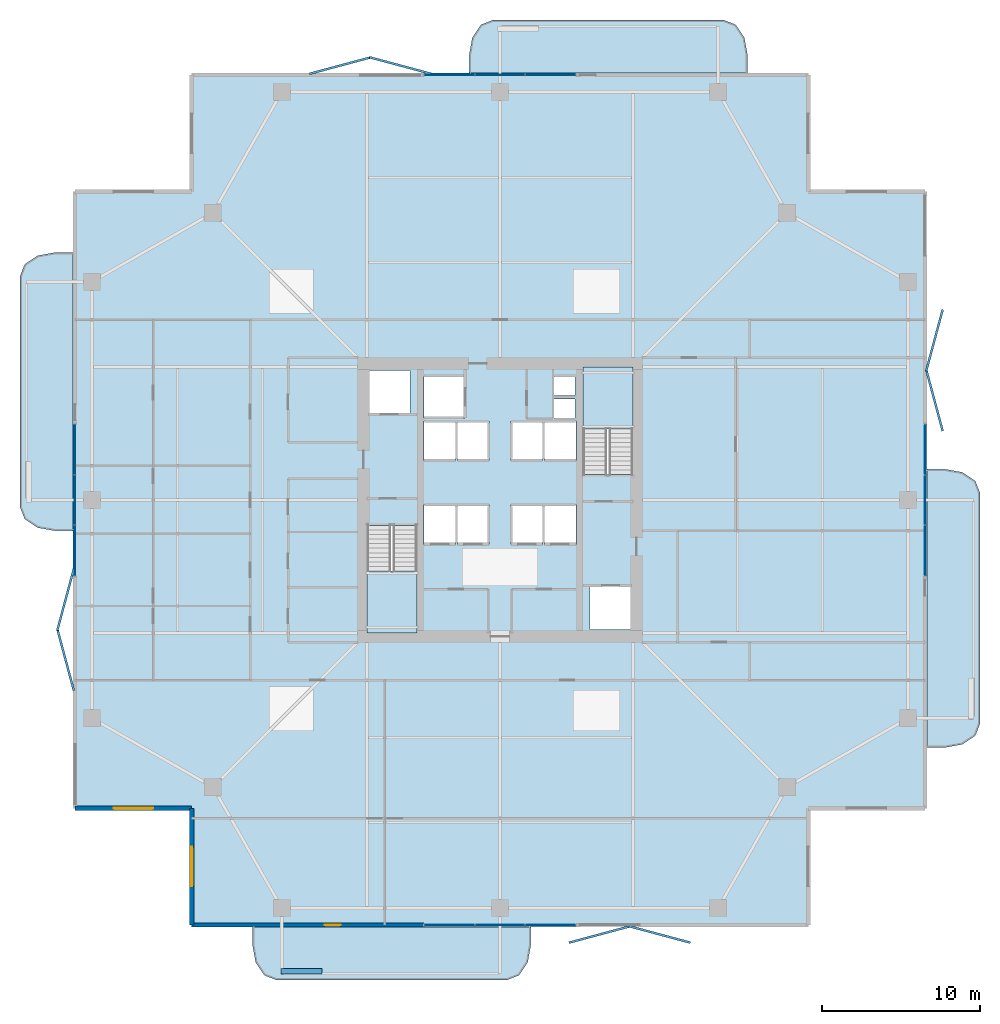
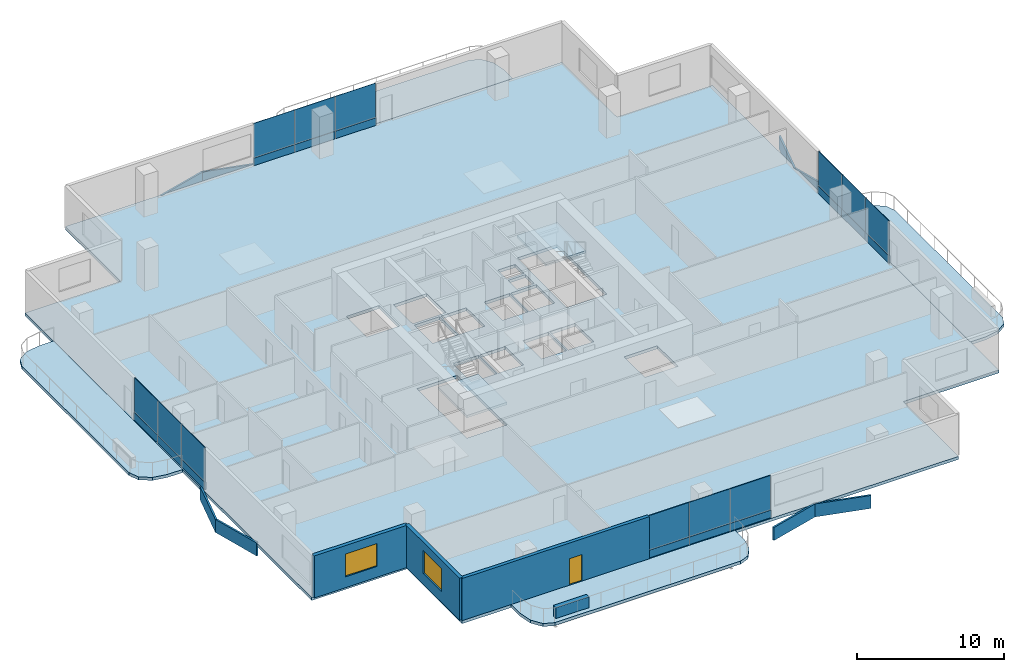
# One storey, part 16 of 23: 32 plates, 7 slabs, 4 walls, 2 windows, 1 door, 3 openings, 6 elements without a shape of their own.
"""IFC4 building model written with IfcOpenShell, lengths in metres."""

from ifc_helpers import new_model, si_unit, direction, frame, frame_2d, origin, origin_2d, place, context, subcontext, project, spatial, polyline, rectangle, outline, extrude, material, layer, layer_set, type_object, element, fill, aggregate, save


model = new_model("IFC4")

# Units and contexts
model_context = context("Model", 3, precision=1e-05, world=origin(), true_north=direction((0.0, 1.0)))
body_context = subcontext(model_context, "Body", "Model", "MODEL_VIEW")
ifc_project = project(units=[si_unit("LENGTHUNIT", "METRE"), si_unit("AREAUNIT", "SQUARE_METRE"), si_unit("VOLUMEUNIT", "CUBIC_METRE"), si_unit("PLANEANGLEUNIT", "RADIAN"), si_unit("MASSUNIT", "GRAM", prefix="KILO")], contexts=[model_context])

# Site, building, storey
site_placement = place(None, origin())
site = spatial("IfcSite", under=ifc_project, at=site_placement, CompositionType="ELEMENT")
building_placement = place(site_placement, origin())
building = spatial("IfcBuilding", under=site, at=building_placement, Name="Belovzor Exchange Tower", CompositionType="ELEMENT")
storey_placement = place(building_placement, frame((0.0, 0.0, 229.949951171875)))
storey = spatial("IfcBuildingStorey", under=building, at=storey_placement, Name="L57", CompositionType="ELEMENT", Elevation=229.949951171875)

# Slab
ifc_material_1 = material(Name="Concrete C40/50", Category="concrete")
ifc_layer_1 = layer(ifc_material_1, 0.25)
ifc_layer_set_1 = layer_set([ifc_layer_1], Name="Concrete C40/50")
slab_type_1 = type_object("IfcSlabType", Name="Composite Concrete Floor Deck Slab 250", PredefinedType="FLOOR", material=ifc_layer_set_1)
slab_1_placement = place(storey_placement, frame((0.0, 0.0, -0.25)))
element("IfcSlab", 1, at=slab_1_placement, inside=storey, type_object=slab_type_1, Name="SL-F250 Structural Slab L57", PredefinedType="FLOOR", context=body_context, shape_type="SweptSolid", body=[
    extrude(outline(polyline([(9.300048828125, 1.800048828125), (48.300048828125, 1.800048828125), (48.300048828125, 9.300048828125), (55.800048828125, 9.300048828125), (55.800048828125, 48.300048828125), (48.300048828125, 48.300048828125), (48.300048828125, 55.800048828125), (9.300048828125, 55.800048828125), (9.300048828125, 48.300048828125), (1.800048828125, 48.300048828125), (1.800048828125, 9.300048828125), (9.300048828125, 9.300048828125), (9.300048828125, 1.800048828125)]), holes=[polyline([(20.39990234375, 27.175048828125), (20.39990234375, 20.39990234375), (23.550048828125, 20.39990234375), (23.550048828125, 27.175048828125), (20.39990234375, 27.175048828125)]), polyline([(37.199951171875, 30.425048828125), (37.199951171875, 37.199951171875), (34.050048828125, 37.199951171875), (34.050048828125, 30.425048828125), (37.199951171875, 30.425048828125)]), polyline([(20.5, 34.199951171875), (23.10009765625, 34.199951171875), (23.10009765625, 37.0), (20.5, 37.0), (20.5, 34.199951171875)]), polyline([(34.5, 20.60009765625), (37.10009765625, 20.60009765625), (37.10009765625, 23.39990234375), (34.5, 23.39990234375), (34.5, 20.60009765625)]), polyline([(24.0, 34.0), (26.60009765625, 34.0), (26.60009765625, 36.60009765625), (24.0, 36.60009765625), (24.0, 34.0)]), polyline([(24.0, 26.0), (26.0, 26.0), (26.0, 28.5), (24.0, 28.5), (24.0, 26.0)]), polyline([(26.10009765625, 26.0), (28.10009765625, 26.0), (28.10009765625, 28.5), (26.10009765625, 28.5), (26.10009765625, 26.0)]), polyline([(29.5, 26.0), (31.5, 26.0), (31.5, 28.5), (29.5, 28.5), (29.5, 26.0)]), polyline([(31.60009765625, 26.0), (33.60009765625, 26.0), (33.60009765625, 28.5), (31.60009765625, 28.5), (31.60009765625, 26.0)]), polyline([(24.0, 31.300048828125), (26.0, 31.300048828125), (26.0, 33.800048828125), (24.0, 33.800048828125), (24.0, 31.300048828125)]), polyline([(26.10009765625, 31.300048828125), (28.10009765625, 31.300048828125), (28.10009765625, 33.800048828125), (26.10009765625, 33.800048828125), (26.10009765625, 31.300048828125)]), polyline([(29.5, 31.300048828125), (31.5, 31.300048828125), (31.5, 33.800048828125), (29.5, 33.800048828125), (29.5, 31.300048828125)]), polyline([(31.60009765625, 31.300048828125), (33.60009765625, 31.300048828125), (33.60009765625, 33.800048828125), (31.60009765625, 33.800048828125), (31.60009765625, 31.300048828125)]), polyline([(32.199951171875, 34.0), (33.550048828125, 34.0), (33.550048828125, 35.199951171875), (32.199951171875, 35.199951171875), (32.199951171875, 34.0)]), polyline([(32.199951171875, 35.39990234375), (33.550048828125, 35.39990234375), (33.550048828125, 36.60009765625), (32.199951171875, 36.60009765625), (32.199951171875, 35.39990234375)])]), origin(), (0.0, 0.0, 1.0), 0.25),
])

# Curtain wall, plates
ifc_material_2 = material(Name="Anodised Aluminium Framing", Category="aluminium")
ifc_layer_2 = layer(ifc_material_2, 0.179931640625)
ifc_layer_set_2 = layer_set([ifc_layer_2], Name="Anodised Aluminium Framing")
curtain_wall_type = type_object("IfcCurtainWallType", Name="Recessed Loggia Low-Iron Triple-Glazed Curtain Wall", PredefinedType="NOTDEFINED", material=ifc_layer_set_2)
curtain_wall_1_placement = place(storey_placement, origin())
curtain_wall_1 = element("IfcCurtainWall", 2, at=curtain_wall_1_placement, inside=storey, type_object=curtain_wall_type, Name="CW3 Recessed Loggia Low-Iron Triple-Glazed Curtain Wall L57", PredefinedType="NOTDEFINED")
ifc_material_3 = material(Name="Solar-Control Triple Glazing", Category="glass")
ifc_layer_3 = layer(ifc_material_3, 0.0439453125)
ifc_layer_set_3 = layer_set([ifc_layer_3], Name="Solar-Control Triple Glazing")
plate_type_1 = type_object("IfcPlateType", Name="Insulated Solar Glazing Curtain Panel 44", PredefinedType="CURTAIN_PANEL", material=ifc_layer_set_3)
plate_1_placement = place(storey_placement, frame((32.0, 1.929931640625, 0.63232421875), z_axis=(0.0, 0.0, 1.0), x_axis=(-1.0, 0.0, 0.0)))
plate_1 = element("IfcPlate", 3, at=plate_1_placement, type_object=plate_type_1, Name="GLZ-44 Glazed Curtain Panel 1", PredefinedType="CURTAIN_PANEL", context=body_context, shape_type="SweptSolid", body=[
    extrude(rectangle(XDim=3.18408203125, YDim=0.0439453125, at=origin_2d()), origin(), (0.0, 0.0, 1.0), 2.867919921875),
])
plate_2_placement = place(storey_placement, frame((28.800048828125, 1.929931640625, 0.63232421875), z_axis=(0.0, 0.0, 1.0), x_axis=(-1.0, 0.0, 0.0)))
plate_2 = element("IfcPlate", 4, at=plate_2_placement, type_object=plate_type_1, Name="GLZ-44 Glazed Curtain Panel 2", PredefinedType="CURTAIN_PANEL", context=body_context, shape_type="SweptSolid", body=[
    extrude(rectangle(XDim=3.18408203125, YDim=0.0439453125, at=origin_2d()), origin(), (0.0, 0.0, 1.0), 2.867919921875),
])
plate_3_placement = place(storey_placement, frame((25.60009765625, 1.929931640625, 0.63232421875), z_axis=(0.0, 0.0, 1.0), x_axis=(-1.0, 0.0, 0.0)))
plate_3 = element("IfcPlate", 5, at=plate_3_placement, type_object=plate_type_1, Name="GLZ-44 Glazed Curtain Panel 3", PredefinedType="CURTAIN_PANEL", context=body_context, shape_type="SweptSolid", body=[
    extrude(rectangle(XDim=3.18408203125, YDim=0.0439453125, at=origin_2d()), origin(), (0.0, 0.0, 1.0), 2.867919921875),
])

curtain_wall_2_placement = place(storey_placement, origin())
curtain_wall_2 = element("IfcCurtainWall", 6, at=curtain_wall_2_placement, inside=storey, type_object=curtain_wall_type, Name="CW3 Recessed Loggia Low-Iron Triple-Glazed Curtain Wall L57", PredefinedType="NOTDEFINED")
plate_4_placement = place(storey_placement, frame((25.60009765625, 55.669921875, 0.63232421875), z_axis=(0.0, 0.0, 1.0), x_axis=(1.0, 0.0, 0.0)))
plate_4 = element("IfcPlate", 7, at=plate_4_placement, type_object=plate_type_1, Name="GLZ-44 Glazed Curtain Panel 1", PredefinedType="CURTAIN_PANEL", context=body_context, shape_type="SweptSolid", body=[
    extrude(rectangle(XDim=3.18408203125, YDim=0.0439453125, at=origin_2d()), origin(), (0.0, 0.0, 1.0), 2.867919921875),
])
plate_5_placement = place(storey_placement, frame((28.800048828125, 55.669921875, 0.63232421875), z_axis=(0.0, 0.0, 1.0), x_axis=(1.0, 0.0, 0.0)))
plate_5 = element("IfcPlate", 8, at=plate_5_placement, type_object=plate_type_1, Name="GLZ-44 Glazed Curtain Panel 2", PredefinedType="CURTAIN_PANEL", context=body_context, shape_type="SweptSolid", body=[
    extrude(rectangle(XDim=3.18408203125, YDim=0.0439453125, at=origin_2d()), origin(), (0.0, 0.0, 1.0), 2.867919921875),
])
plate_6_placement = place(storey_placement, frame((32.0, 55.669921875, 0.63232421875), z_axis=(0.0, 0.0, 1.0), x_axis=(1.0, 0.0, 0.0)))
plate_6 = element("IfcPlate", 9, at=plate_6_placement, type_object=plate_type_1, Name="GLZ-44 Glazed Curtain Panel 3", PredefinedType="CURTAIN_PANEL", context=body_context, shape_type="SweptSolid", body=[
    extrude(rectangle(XDim=3.18408203125, YDim=0.0439453125, at=origin_2d()), origin(), (0.0, 0.0, 1.0), 2.867919921875),
])

curtain_wall_3_placement = place(storey_placement, origin())
curtain_wall_3 = element("IfcCurtainWall", 10, at=curtain_wall_3_placement, inside=storey, type_object=curtain_wall_type, Name="CW3 Recessed Loggia Low-Iron Triple-Glazed Curtain Wall L57", PredefinedType="NOTDEFINED")
plate_7_placement = place(storey_placement, frame((1.929931640625, 25.60009765625, 0.63232421875), z_axis=(0.0, 0.0, 1.0), x_axis=(0.0, 1.0, 0.0)))
plate_7 = element("IfcPlate", 11, at=plate_7_placement, type_object=plate_type_1, Name="GLZ-44 Glazed Curtain Panel 1", PredefinedType="CURTAIN_PANEL", context=body_context, shape_type="SweptSolid", body=[
    extrude(rectangle(XDim=3.18408203125, YDim=0.0439453125, at=origin_2d()), origin(), (0.0, 0.0, 1.0), 2.867919921875),
])
plate_8_placement = place(storey_placement, frame((1.929931640625, 28.800048828125, 0.63232421875), z_axis=(0.0, 0.0, 1.0), x_axis=(0.0, 1.0, 0.0)))
plate_8 = element("IfcPlate", 12, at=plate_8_placement, type_object=plate_type_1, Name="GLZ-44 Glazed Curtain Panel 2", PredefinedType="CURTAIN_PANEL", context=body_context, shape_type="SweptSolid", body=[
    extrude(rectangle(XDim=3.18408203125, YDim=0.0439453125, at=origin_2d()), origin(), (0.0, 0.0, 1.0), 2.867919921875),
])
plate_9_placement = place(storey_placement, frame((1.929931640625, 32.0, 0.63232421875), z_axis=(0.0, 0.0, 1.0), x_axis=(0.0, 1.0, 0.0)))
plate_9 = element("IfcPlate", 13, at=plate_9_placement, type_object=plate_type_1, Name="GLZ-44 Glazed Curtain Panel 3", PredefinedType="CURTAIN_PANEL", context=body_context, shape_type="SweptSolid", body=[
    extrude(rectangle(XDim=3.18408203125, YDim=0.0439453125, at=origin_2d()), origin(), (0.0, 0.0, 1.0), 2.867919921875),
])

curtain_wall_4_placement = place(storey_placement, origin())
curtain_wall_4 = element("IfcCurtainWall", 14, at=curtain_wall_4_placement, inside=storey, type_object=curtain_wall_type, Name="CW3 Recessed Loggia Low-Iron Triple-Glazed Curtain Wall L57", PredefinedType="NOTDEFINED")
plate_10_placement = place(storey_placement, frame((55.669921875, 32.0, 0.63232421875), z_axis=(0.0, 0.0, 1.0), x_axis=(0.0, -1.0, 0.0)))
plate_10 = element("IfcPlate", 15, at=plate_10_placement, type_object=plate_type_1, Name="GLZ-44 Glazed Curtain Panel 1", PredefinedType="CURTAIN_PANEL", context=body_context, shape_type="SweptSolid", body=[
    extrude(rectangle(XDim=3.18408203125, YDim=0.0439453125, at=origin_2d()), origin(), (0.0, 0.0, 1.0), 2.867919921875),
])
plate_11_placement = place(storey_placement, frame((55.669921875, 28.800048828125, 0.63232421875), z_axis=(0.0, 0.0, 1.0), x_axis=(0.0, -1.0, 0.0)))
plate_11 = element("IfcPlate", 16, at=plate_11_placement, type_object=plate_type_1, Name="GLZ-44 Glazed Curtain Panel 2", PredefinedType="CURTAIN_PANEL", context=body_context, shape_type="SweptSolid", body=[
    extrude(rectangle(XDim=3.18408203125, YDim=0.0439453125, at=origin_2d()), origin(), (0.0, 0.0, 1.0), 2.867919921875),
])
plate_12_placement = place(storey_placement, frame((55.669921875, 25.60009765625, 0.63232421875), z_axis=(0.0, 0.0, 1.0), x_axis=(0.0, -1.0, 0.0)))
plate_12 = element("IfcPlate", 17, at=plate_12_placement, type_object=plate_type_1, Name="GLZ-44 Glazed Curtain Panel 3", PredefinedType="CURTAIN_PANEL", context=body_context, shape_type="SweptSolid", body=[
    extrude(rectangle(XDim=3.18408203125, YDim=0.0439453125, at=origin_2d()), origin(), (0.0, 0.0, 1.0), 2.867919921875),
])

# Plates
ifc_material_4 = material(Name="Extruded Architectural Terracotta", Category="masonry")
ifc_layer_4 = layer(ifc_material_4, 0.139892578125)
ifc_layer_set_4 = layer_set([ifc_layer_4], Name="Extruded Architectural Terracotta")
plate_type_2 = type_object("IfcPlateType", Name="Mid-Tower Folded Zigzag Terracotta Spandrel Louvre 120", PredefinedType="USERDEFINED", material=ifc_layer_set_4)
for number, where, z_axis, x_axis, name in (
    (18, (18.699951171875, 56.27001953125, -1.06494140625), (0.0, 0.0, 1.0), (0.965812803231, 0.259240485101, 0.0), "LVR-ZZ2 Zigzag Terracotta Spandrel Louvre L57 N1A"),
    (19, (22.5, 56.27001953125, -1.06494140625), (0.0, 0.0, 1.0), (0.965812803231, -0.259240485101, 0.0), "LVR-ZZ2 Zigzag Terracotta Spandrel Louvre L57 N1B"),
    (20, (1.330078125, 18.699951171875, -1.06494140625), (0.0, 0.0, 1.0), (-0.259240485101, 0.965812803231, 0.0), "LVR-ZZ2 Zigzag Terracotta Spandrel Louvre L57 W1A"),
    (21, (1.330078125, 22.5, -1.06494140625), (0.0, 0.0, 1.0), (0.259240485101, 0.965812803231, 0.0), "LVR-ZZ2 Zigzag Terracotta Spandrel Louvre L57 W1B"),
    (22, (35.10009765625, 1.330078125, -1.06494140625), (0.0, 0.0, 1.0), (0.965812803231, 0.259240485101, 0.0), "LVR-ZZ2 Zigzag Terracotta Spandrel Louvre L57 S2A"),
    (23, (38.89990234375, 1.330078125, -1.06494140625), (0.0, 0.0, 1.0), (0.965812803231, -0.259240485101, 0.0), "LVR-ZZ2 Zigzag Terracotta Spandrel Louvre L57 S2B"),
    (24, (56.27001953125, 35.10009765625, -1.06494140625), (0.0, 0.0, 1.0), (-0.259240485101, 0.965812803231, 0.0), "LVR-ZZ2 Zigzag Terracotta Spandrel Louvre L57 E2A"),
    (25, (56.27001953125, 38.89990234375, -1.06494140625), (0.0, 0.0, 1.0), (0.259240485101, 0.965812803231, 0.0), "LVR-ZZ2 Zigzag Terracotta Spandrel Louvre L57 E2B"),
):
    element("IfcPlate", number, at=place(storey_placement, frame(where, z_axis=z_axis, x_axis=x_axis)), inside=storey, type_object=plate_type_2, Name=name, ObjectType="SPANDREL_LOUVRE", PredefinedType="USERDEFINED", context=body_context, shape_type="SweptSolid", body=[
        extrude(rectangle(XDim=4.014892578125, YDim=0.139892578125, at=origin_2d()), origin(), (0.0, 0.0, 1.0), 1.080078125),
    ])

# Stair, slab
ifc_material_5 = material(Name="Concrete C40/50", Category="concrete")
stair_type = type_object("IfcStairType", Name="Reinforced Concrete Dogleg Escape Stair 1350", PredefinedType="HALF_TURN_STAIR", material=ifc_material_5)
stair_1_placement = place(storey_placement, origin())
stair_1 = element("IfcStair", 26, at=stair_1_placement, inside=storey, type_object=stair_type, Name="L57 ST-1", PredefinedType="HALF_TURN_STAIR")
ifc_material_6 = material(Name="Concrete C40/50", Category="concrete")
ifc_layer_5 = layer(ifc_material_6, 0.199951171875)
ifc_layer_set_5 = layer_set([ifc_layer_5], Name="Concrete C40/50")
slab_type_2 = type_object("IfcSlabType", Name="Reinforced Concrete Stair Half-Landing Slab 200", PredefinedType="LANDING", material=ifc_layer_set_5)
slab_2_placement = place(storey_placement, frame((0.0, 0.0, 1.675048828125)))
slab_2 = element("IfcSlab", 27, at=slab_2_placement, type_object=slab_type_2, Name="ST-1 landing 1", PredefinedType="LANDING", context=body_context, shape_type="SweptSolid", body=[
    extrude(outline(polyline([(20.39990234375, 24.300048828125), (20.39990234375, 20.39990234375), (23.550048828125, 20.39990234375), (23.550048828125, 24.300048828125), (20.39990234375, 24.300048828125)])), origin(), (0.0, 0.0, 1.0), 0.199951171875),
])
aggregate(stair_1, [slab_2])

stair_2_placement = place(storey_placement, origin())
stair_2 = element("IfcStair", 28, at=stair_2_placement, inside=storey, type_object=stair_type, Name="L57 ST-2", PredefinedType="HALF_TURN_STAIR")
slab_3_placement = place(storey_placement, frame((0.0, 0.0, 1.675048828125)))
slab_3 = element("IfcSlab", 29, at=slab_3_placement, type_object=slab_type_2, Name="ST-2 landing 1", PredefinedType="LANDING", context=body_context, shape_type="SweptSolid", body=[
    extrude(outline(polyline([(37.199951171875, 33.300048828125), (37.199951171875, 37.199951171875), (34.050048828125, 37.199951171875), (34.050048828125, 33.300048828125), (37.199951171875, 33.300048828125)])), origin(), (0.0, 0.0, 1.0), 0.199951171875),
])
aggregate(stair_2, [slab_3])

# Plate
ifc_material_7 = material(Name="Extruded Architectural Terracotta", Category="masonry")
ifc_layer_6 = layer(ifc_material_7, 0.090087890625)
ifc_layer_set_6 = layer_set([ifc_layer_6], Name="Extruded Architectural Terracotta")
plate_type_3 = type_object("IfcPlateType", Name="Terracotta Shadow-Box Spandrel Panel 90", PredefinedType="CURTAIN_PANEL", material=ifc_layer_set_6)
plate_13_placement = place(storey_placement, frame((32.0, 1.929931640625, 0.0), z_axis=(0.0, 0.0, 1.0), x_axis=(-1.0, 0.0, 0.0)))
plate_13 = element("IfcPlate", 30, at=plate_13_placement, type_object=plate_type_3, Name="SPD-90 Spandrel Panel 1", PredefinedType="CURTAIN_PANEL", context=body_context, shape_type="SweptSolid", body=[
    extrude(rectangle(XDim=3.18408203125, YDim=0.090087890625, at=origin_2d()), origin(), (0.0, 0.0, 1.0), 0.6279296875),
])

plate_14_placement = place(storey_placement, frame((28.800048828125, 1.929931640625, 0.0), z_axis=(0.0, 0.0, 1.0), x_axis=(-1.0, 0.0, 0.0)))
plate_14 = element("IfcPlate", 31, at=plate_14_placement, type_object=plate_type_3, Name="SPD-90 Spandrel Panel 2", PredefinedType="CURTAIN_PANEL", context=body_context, shape_type="SweptSolid", body=[
    extrude(rectangle(XDim=3.18408203125, YDim=0.090087890625, at=origin_2d()), origin(), (0.0, 0.0, 1.0), 0.6279296875),
])

plate_15_placement = place(storey_placement, frame((25.60009765625, 1.929931640625, 0.0), z_axis=(0.0, 0.0, 1.0), x_axis=(-1.0, 0.0, 0.0)))
plate_15 = element("IfcPlate", 32, at=plate_15_placement, type_object=plate_type_3, Name="SPD-90 Spandrel Panel 3", PredefinedType="CURTAIN_PANEL", context=body_context, shape_type="SweptSolid", body=[
    extrude(rectangle(XDim=3.18408203125, YDim=0.090087890625, at=origin_2d()), origin(), (0.0, 0.0, 1.0), 0.6279296875),
])

aggregate(curtain_wall_1, [plate_13, plate_1, plate_14, plate_2, plate_15, plate_3])

plate_16_placement = place(storey_placement, frame((25.60009765625, 55.669921875, 0.0), z_axis=(0.0, 0.0, 1.0), x_axis=(1.0, 0.0, 0.0)))
plate_16 = element("IfcPlate", 33, at=plate_16_placement, type_object=plate_type_3, Name="SPD-90 Spandrel Panel 1", PredefinedType="CURTAIN_PANEL", context=body_context, shape_type="SweptSolid", body=[
    extrude(rectangle(XDim=3.18408203125, YDim=0.090087890625, at=origin_2d()), origin(), (0.0, 0.0, 1.0), 0.6279296875),
])

plate_17_placement = place(storey_placement, frame((28.800048828125, 55.669921875, 0.0), z_axis=(0.0, 0.0, 1.0), x_axis=(1.0, 0.0, 0.0)))
plate_17 = element("IfcPlate", 34, at=plate_17_placement, type_object=plate_type_3, Name="SPD-90 Spandrel Panel 2", PredefinedType="CURTAIN_PANEL", context=body_context, shape_type="SweptSolid", body=[
    extrude(rectangle(XDim=3.18408203125, YDim=0.090087890625, at=origin_2d()), origin(), (0.0, 0.0, 1.0), 0.6279296875),
])

plate_18_placement = place(storey_placement, frame((32.0, 55.669921875, 0.0), z_axis=(0.0, 0.0, 1.0), x_axis=(1.0, 0.0, 0.0)))
plate_18 = element("IfcPlate", 35, at=plate_18_placement, type_object=plate_type_3, Name="SPD-90 Spandrel Panel 3", PredefinedType="CURTAIN_PANEL", context=body_context, shape_type="SweptSolid", body=[
    extrude(rectangle(XDim=3.18408203125, YDim=0.090087890625, at=origin_2d()), origin(), (0.0, 0.0, 1.0), 0.6279296875),
])

aggregate(curtain_wall_2, [plate_16, plate_4, plate_17, plate_5, plate_18, plate_6])

plate_19_placement = place(storey_placement, frame((1.929931640625, 25.60009765625, 0.0), z_axis=(0.0, 0.0, 1.0), x_axis=(0.0, 1.0, 0.0)))
plate_19 = element("IfcPlate", 36, at=plate_19_placement, type_object=plate_type_3, Name="SPD-90 Spandrel Panel 1", PredefinedType="CURTAIN_PANEL", context=body_context, shape_type="SweptSolid", body=[
    extrude(rectangle(XDim=3.18408203125, YDim=0.090087890625, at=origin_2d()), origin(), (0.0, 0.0, 1.0), 0.6279296875),
])

plate_20_placement = place(storey_placement, frame((1.929931640625, 28.800048828125, 0.0), z_axis=(0.0, 0.0, 1.0), x_axis=(0.0, 1.0, 0.0)))
plate_20 = element("IfcPlate", 37, at=plate_20_placement, type_object=plate_type_3, Name="SPD-90 Spandrel Panel 2", PredefinedType="CURTAIN_PANEL", context=body_context, shape_type="SweptSolid", body=[
    extrude(rectangle(XDim=3.18408203125, YDim=0.090087890625, at=origin_2d()), origin(), (0.0, 0.0, 1.0), 0.6279296875),
])

plate_21_placement = place(storey_placement, frame((1.929931640625, 32.0, 0.0), z_axis=(0.0, 0.0, 1.0), x_axis=(0.0, 1.0, 0.0)))
plate_21 = element("IfcPlate", 38, at=plate_21_placement, type_object=plate_type_3, Name="SPD-90 Spandrel Panel 3", PredefinedType="CURTAIN_PANEL", context=body_context, shape_type="SweptSolid", body=[
    extrude(rectangle(XDim=3.18408203125, YDim=0.090087890625, at=origin_2d()), origin(), (0.0, 0.0, 1.0), 0.6279296875),
])

aggregate(curtain_wall_3, [plate_19, plate_7, plate_20, plate_8, plate_21, plate_9])

plate_22_placement = place(storey_placement, frame((55.669921875, 32.0, 0.0), z_axis=(0.0, 0.0, 1.0), x_axis=(0.0, -1.0, 0.0)))
plate_22 = element("IfcPlate", 39, at=plate_22_placement, type_object=plate_type_3, Name="SPD-90 Spandrel Panel 1", PredefinedType="CURTAIN_PANEL", context=body_context, shape_type="SweptSolid", body=[
    extrude(rectangle(XDim=3.18408203125, YDim=0.090087890625, at=origin_2d()), origin(), (0.0, 0.0, 1.0), 0.6279296875),
])

plate_23_placement = place(storey_placement, frame((55.669921875, 28.800048828125, 0.0), z_axis=(0.0, 0.0, 1.0), x_axis=(0.0, -1.0, 0.0)))
plate_23 = element("IfcPlate", 40, at=plate_23_placement, type_object=plate_type_3, Name="SPD-90 Spandrel Panel 2", PredefinedType="CURTAIN_PANEL", context=body_context, shape_type="SweptSolid", body=[
    extrude(rectangle(XDim=3.18408203125, YDim=0.090087890625, at=origin_2d()), origin(), (0.0, 0.0, 1.0), 0.6279296875),
])

plate_24_placement = place(storey_placement, frame((55.669921875, 25.60009765625, 0.0), z_axis=(0.0, 0.0, 1.0), x_axis=(0.0, -1.0, 0.0)))
plate_24 = element("IfcPlate", 41, at=plate_24_placement, type_object=plate_type_3, Name="SPD-90 Spandrel Panel 3", PredefinedType="CURTAIN_PANEL", context=body_context, shape_type="SweptSolid", body=[
    extrude(rectangle(XDim=3.18408203125, YDim=0.090087890625, at=origin_2d()), origin(), (0.0, 0.0, 1.0), 0.6279296875),
])

aggregate(curtain_wall_4, [plate_22, plate_10, plate_23, plate_11, plate_24, plate_12])

# Slabs
ifc_material_8 = material(Name="Concrete C40/50", Category="concrete")
ifc_layer_7 = layer(ifc_material_8, 0.25)
ifc_layer_set_7 = layer_set([ifc_layer_7], Name="Concrete C40/50")
slab_type_3 = type_object("IfcSlabType", Name="Thermally Broken Planted Balcony Slab 250", PredefinedType="FLOOR", material=ifc_layer_set_7)
slab_4_placement = place(storey_placement, frame((0.0, 0.0, -0.25)))
element("IfcSlab", 42, at=slab_4_placement, inside=storey, type_object=slab_type_3, Name="SL-BAL220 Planted Balcony Loggia L57 South", PredefinedType="FLOOR", context=body_context, shape_type="SweptSolid", body=[
    extrude(outline(polyline([(13.14990234375, 1.81494140625), (13.14990234375, 0.64990234375), (13.35107421875, -0.449951171875), (13.89990234375, -1.2548828125), (14.64990234375, -1.550048828125), (29.25, -1.550048828125), (30.0, -1.2548828125), (30.549072265625, -0.449951171875), (30.75, 0.64990234375), (30.75, 1.81494140625), (13.14990234375, 1.81494140625)])), origin(), (0.0, 0.0, 1.0), 0.25),
])
slab_5_placement = place(storey_placement, frame((0.0, 0.0, -0.25)))
element("IfcSlab", 43, at=slab_5_placement, inside=storey, type_object=slab_type_3, Name="SL-BAL220 Planted Balcony Loggia L57 North", PredefinedType="FLOOR", context=body_context, shape_type="SweptSolid", body=[
    extrude(outline(polyline([(44.449951171875, 55.784912109375), (44.449951171875, 56.949951171875), (44.2490234375, 58.050048828125), (43.699951171875, 58.85498046875), (42.949951171875, 59.14990234375), (28.35009765625, 59.14990234375), (27.60009765625, 58.85498046875), (27.051025390625, 58.050048828125), (26.85009765625, 56.949951171875), (26.85009765625, 55.784912109375), (44.449951171875, 55.784912109375)])), origin(), (0.0, 0.0, 1.0), 0.25),
])
slab_6_placement = place(storey_placement, frame((0.0, 0.0, -0.25)))
element("IfcSlab", 44, at=slab_6_placement, inside=storey, type_object=slab_type_3, Name="SL-BAL220 Planted Balcony Loggia L57 East", PredefinedType="FLOOR", context=body_context, shape_type="SweptSolid", body=[
    extrude(outline(polyline([(55.784912109375, 13.14990234375), (56.949951171875, 13.14990234375), (58.050048828125, 13.35107421875), (58.85498046875, 13.89990234375), (59.14990234375, 14.64990234375), (59.14990234375, 29.25), (58.85498046875, 30.0), (58.050048828125, 30.549072265625), (56.949951171875, 30.75), (55.784912109375, 30.75), (55.784912109375, 13.14990234375)])), origin(), (0.0, 0.0, 1.0), 0.25),
])
slab_7_placement = place(storey_placement, frame((0.0, 0.0, -0.25)))
element("IfcSlab", 45, at=slab_7_placement, inside=storey, type_object=slab_type_3, Name="SL-BAL220 Planted Balcony Loggia L57 West", PredefinedType="FLOOR", context=body_context, shape_type="SweptSolid", body=[
    extrude(outline(polyline([(1.81494140625, 44.449951171875), (0.64990234375, 44.449951171875), (-0.449951171875, 44.2490234375), (-1.2548828125, 43.699951171875), (-1.550048828125, 42.949951171875), (-1.550048828125, 28.35009765625), (-1.2548828125, 27.60009765625), (-0.449951171875, 27.051025390625), (0.64990234375, 26.85009765625), (1.81494140625, 26.85009765625), (1.81494140625, 44.449951171875)])), origin(), (0.0, 0.0, 1.0), 0.25),
])

# Wall, opening, window
ifc_material_9 = material(Name="Precast concrete C40/50", Category="concrete")
ifc_layer_8 = layer(ifc_material_9, 0.280029296875)
ifc_layer_set_8 = layer_set([ifc_layer_8], Name="Precast concrete C40/50")
wall_type_1 = type_object("IfcWallType", Name="Precast Concrete Notched Corner Frame Wall 280", PredefinedType="SOLIDWALL", material=ifc_layer_set_8)
wall_1_placement = place(storey_placement, frame((9.300048828125, 1.929931640625, 0.0), z_axis=(0.0, 0.0, 1.0), x_axis=(0.0, 1.0, 0.0)))
wall_1 = element("IfcWall", 46, at=wall_1_placement, inside=storey, type_object=wall_type_1, Name="W-CRN280 Precast Concrete Notched Corner Frame Wall 280 L57", PredefinedType="SOLIDWALL", context=body_context, shape_type="SweptSolid", body=[
    extrude(rectangle(XDim=7.3701171875, YDim=0.280029296875, at=frame_2d((3.68505859375, 0.0))), origin(), (0.0, 0.0, 1.0), 3.5),
])
opening_1_placement = place(wall_1_placement, frame((2.43505859375, 0.0, 0.89990234375)))
opening_1 = element("IfcOpeningElement", 47, at=opening_1_placement, cuts=wall_1, Name="Opening WN-CRN250", PredefinedType="OPENING", context=body_context, shape_type="SweptSolid", body=[
    extrude(rectangle(XDim=2.5, YDim=1.89990234375, at=frame_2d((1.25, 0.949951171875))), frame((0.0, 0.14990234375, 0.0), z_axis=(0.0, -1.0, 0.0), x_axis=(1.0, 0.0, 0.0)), (0.0, 0.0, 1.0), 0.300048828125),
])
ifc_material_10 = material(Name="Thermally Broken Aluminium and Triple Glazing", Category="aluminium")
window_type = type_object("IfcWindowType", Name="Streamline Moderne Corner Wrap Ribbon Window 2500x1900", PartitioningType="SINGLE_PANEL", PredefinedType="WINDOW", material=ifc_material_10)
window_1_placement = place(opening_1_placement, origin())
window_1 = element("IfcWindow", 48, at=window_1_placement, inside=storey, type_object=window_type, Name="WN-CRN250 Streamline Moderne Corner Wrap Ribbon Window 2500x1900", OverallHeight=1.89990234375, OverallWidth=2.5, PartitioningType="SINGLE_PANEL", PredefinedType="WINDOW", context=body_context, shape_type="SweptSolid", body=[
    extrude(rectangle(XDim=2.5, YDim=1.89990234375, at=frame_2d((1.25, 0.949951171875))), frame((0.0, 0.030029296875, 0.0), z_axis=(0.0, -1.0, 0.0), x_axis=(1.0, 0.0, 0.0)), (0.0, 0.0, 1.0), 0.06005859375),
])
fill(opening_1, window_1)

wall_2_placement = place(storey_placement, frame((9.300048828125, 9.300048828125, 0.0), z_axis=(0.0, 0.0, 1.0), x_axis=(-1.0, 0.0, 0.0)))
wall_2 = element("IfcWall", 49, at=wall_2_placement, inside=storey, type_object=wall_type_1, Name="W-CRN280 Precast Concrete Notched Corner Frame Wall 280 L57", PredefinedType="SOLIDWALL", context=body_context, shape_type="SweptSolid", body=[
    extrude(rectangle(XDim=7.3701171875, YDim=0.280029296875, at=frame_2d((3.68505859375, 0.0))), origin(), (0.0, 0.0, 1.0), 3.5),
])
opening_2_placement = place(wall_2_placement, frame((2.43505859375, 0.0, 0.89990234375)))
opening_2 = element("IfcOpeningElement", 50, at=opening_2_placement, cuts=wall_2, Name="Opening WN-CRN250", PredefinedType="OPENING", context=body_context, shape_type="SweptSolid", body=[
    extrude(rectangle(XDim=2.5, YDim=1.89990234375, at=frame_2d((1.25, 0.949951171875))), frame((0.0, 0.14990234375, 0.0), z_axis=(0.0, -1.0, 0.0), x_axis=(1.0, 0.0, 0.0)), (0.0, 0.0, 1.0), 0.300048828125),
])
window_2_placement = place(opening_2_placement, origin())
window_2 = element("IfcWindow", 51, at=window_2_placement, inside=storey, type_object=window_type, Name="WN-CRN250 Streamline Moderne Corner Wrap Ribbon Window 2500x1900", OverallHeight=1.89990234375, OverallWidth=2.5, PartitioningType="SINGLE_PANEL", PredefinedType="WINDOW", context=body_context, shape_type="SweptSolid", body=[
    extrude(rectangle(XDim=2.5, YDim=1.89990234375, at=frame_2d((1.25, 0.949951171875))), frame((0.0, 0.030029296875, 0.0), z_axis=(0.0, -1.0, 0.0), x_axis=(1.0, 0.0, 0.0)), (0.0, 0.0, 1.0), 0.06005859375),
])
fill(opening_2, window_2)

# Wall, opening, door
ifc_material_11 = material(Name="Precast concrete C40/50", Category="concrete")
ifc_layer_9 = layer(ifc_material_11, 0.260009765625)
ifc_layer_set_9 = layer_set([ifc_layer_9], Name="Precast concrete C40/50")
wall_type_2 = type_object("IfcWallType", Name="Precast Concrete Perimeter Loggia Frame Wall 260", PredefinedType="SOLIDWALL", material=ifc_layer_set_9)
wall_3_placement = place(storey_placement, frame((24.0, 1.929931640625, 0.0), z_axis=(0.0, 0.0, 1.0), x_axis=(-1.0, 0.0, 0.0)))
wall_3 = element("IfcWall", 52, at=wall_3_placement, inside=storey, type_object=wall_type_2, Name="W-EXT260 Precast Concrete Perimeter Loggia Frame Wall 260 L57", PredefinedType="SOLIDWALL", context=body_context, shape_type="SweptSolid", body=[
    extrude(rectangle(XDim=14.699951171875, YDim=0.260009765625, at=frame_2d((7.35009765625, 0.0))), origin(), (0.0, 0.0, 1.0), 3.5),
])
opening_3_placement = place(wall_3_placement, frame((5.283935546875, 0.0, 0.0)))
opening_3 = element("IfcOpeningElement", 53, at=opening_3_placement, cuts=wall_3, Name="Opening D-BAL100", PredefinedType="OPENING", context=body_context, shape_type="SweptSolid", body=[
    extrude(rectangle(XDim=1.0, YDim=2.199951171875, at=frame_2d((0.5, 1.10009765625))), frame((0.0, 0.139892578125, 0.0), z_axis=(0.0, -1.0, 0.0), x_axis=(1.0, 0.0, 0.0)), (0.0, 0.0, 1.0), 0.280029296875),
])
ifc_material_12 = material(Name="Thermally Broken Anodised Aluminium and Laminated Glass", Category="aluminium")
door_type = type_object("IfcDoorType", Name="Planted Loggia Terrace Glazed Door 1000x2200", OperationType="SINGLE_SWING_LEFT", PredefinedType="DOOR", material=ifc_material_12)
door_placement = place(opening_3_placement, origin())
door = element("IfcDoor", 54, at=door_placement, inside=storey, type_object=door_type, Name="D-BAL100 Balcony Terrace Door L57 S", OperationType="SINGLE_SWING_LEFT", OverallHeight=2.199951171875, OverallWidth=1.0, PredefinedType="DOOR", context=body_context, shape_type="SweptSolid", body=[
    extrude(rectangle(XDim=1.0, YDim=2.199951171875, at=frame_2d((0.5, 1.10009765625))), frame((0.0, 0.02490234375, 0.0), z_axis=(0.0, -1.0, 0.0), x_axis=(1.0, 0.0, 0.0)), (0.0, 0.0, 1.0), 0.050048828125),
])
fill(opening_3, door)

# Wall
ifc_material_13 = material(Name="Precast concrete C40/50", Category="concrete")
ifc_layer_10 = layer(ifc_material_13, 0.35009765625)
ifc_layer_set_10 = layer_set([ifc_layer_10], Name="Precast concrete C40/50")
wall_type_3 = type_object("IfcWallType", Name="Precast Concrete Structural Tree Planter Trough 350", PredefinedType="PARAPET", material=ifc_layer_set_10)
wall_4_placement = place(storey_placement, frame((14.949951171875, -1.0, 0.0), z_axis=(0.0, 0.0, 1.0), x_axis=(1.0, 0.0, 0.0)))
element("IfcWall", 55, at=wall_4_placement, inside=storey, type_object=wall_type_3, Name="PT-350 Precast Concrete Structural Tree Planter Trough 350 L57", PredefinedType="PARAPET", context=body_context, shape_type="SweptSolid", body=[
    extrude(rectangle(XDim=2.60009765625, YDim=0.35009765625, at=frame_2d((1.300048828125, 0.0))), origin(), (0.0, 0.0, 1.0), 0.900146484375),
])

save(model, "model.ifc")
